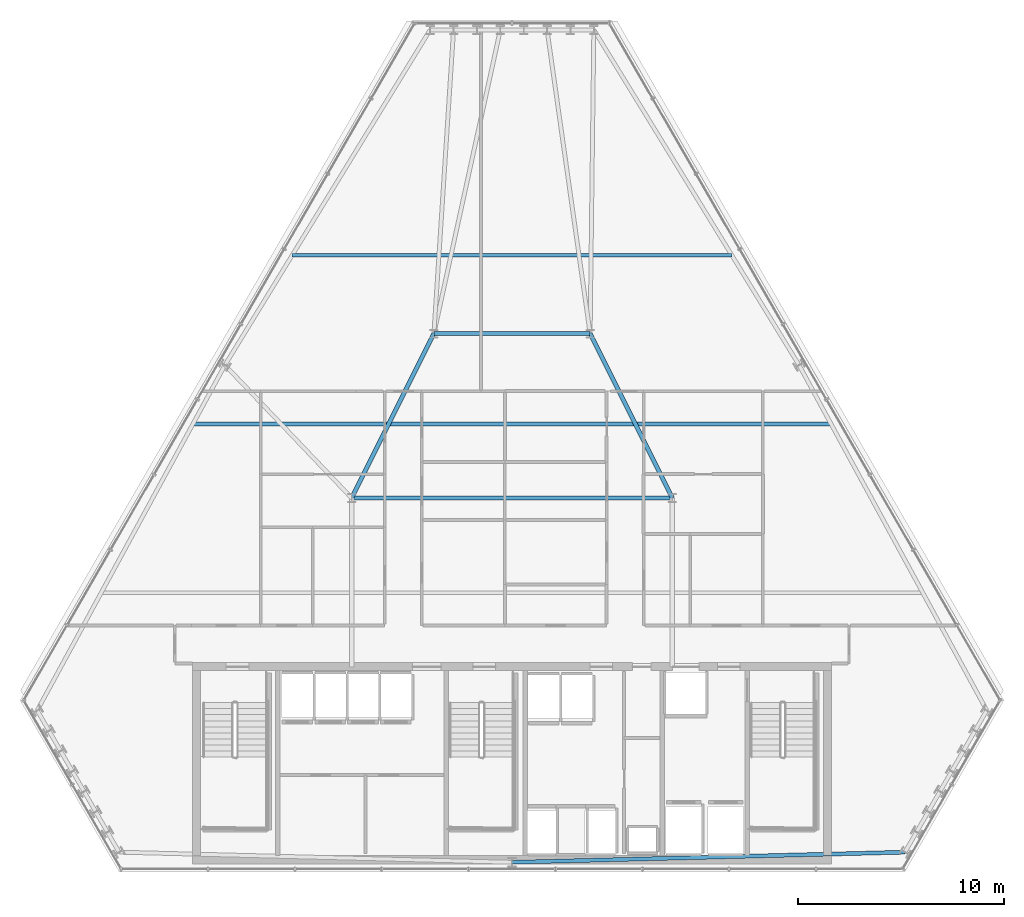
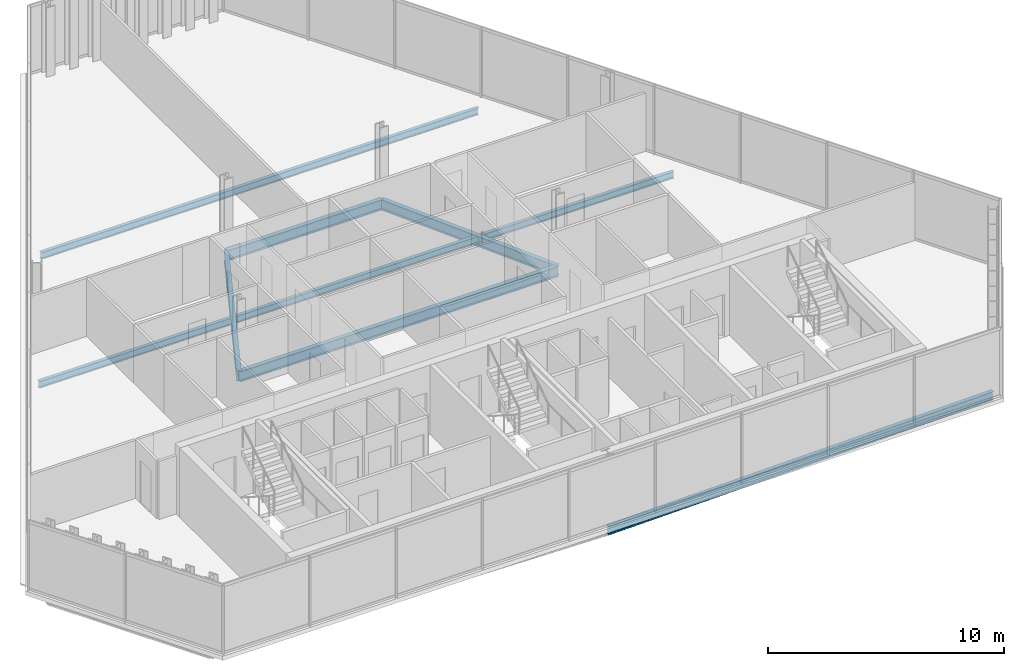
# One storey, part 13 of 33: 7 beams.
"""IFC4 building model written with IfcOpenShell, lengths in metres."""

from ifc_helpers import new_model, si_unit, direction, frame, origin, origin_2d, place, context, subcontext, project, spatial, i_section, extrude, material, material_profile, profile_set, type_object, element, save


model = new_model("IFC4")

# Units and contexts
model_context = context("Model", 3, precision=1e-05, world=origin(), true_north=direction((0.0, 1.0)))
body_context = subcontext(model_context, "Body", "Model", "MODEL_VIEW")
ifc_project = project(units=[si_unit("LENGTHUNIT", "METRE"), si_unit("AREAUNIT", "SQUARE_METRE"), si_unit("VOLUMEUNIT", "CUBIC_METRE"), si_unit("PLANEANGLEUNIT", "RADIAN"), si_unit("MASSUNIT", "GRAM", prefix="KILO")], contexts=[model_context])

# Site, building, storey
site_placement = place(None, origin())
site = spatial("IfcSite", under=ifc_project, at=site_placement, CompositionType="ELEMENT")
building_placement = place(site_placement, origin())
building = spatial("IfcBuilding", under=site, at=building_placement, Name="Ndaravel Arena Tower", CompositionType="ELEMENT")
storey_placement = place(building_placement, frame((0.0, 0.0, 184.0)))
storey = spatial("IfcBuildingStorey", under=building, at=storey_placement, Name="L44", CompositionType="ELEMENT", Elevation=184.0)

# Beams
ifc_material_1 = material(Name="Steel S355", Category="steel")
ifc_material_profile_1 = material_profile(ifc_material_1, i_section(OverallWidth=0.210693359375, OverallDepth=0.53955078125, WebThickness=0.01171875, FlangeThickness=0.018798828125, FilletRadius=0.0126953125, at=origin_2d()), Name="UB 533x210x109")
ifc_profile_set_1 = profile_set([ifc_material_profile_1], Name="Steel S355")
beam_type_1 = type_object("IfcBeamType", Name="BM-GIRD-UB533", PredefinedType="BEAM", material=ifc_profile_set_1)
beam_1_placement = place(storey_placement, frame((34.199951171875, 23.199951171875, -0.48974609375), z_axis=(1.0, 0.0, 0.0), x_axis=(0.0, 1.0, 0.0)))
element("IfcBeam", 1, at=beam_1_placement, inside=storey, type_object=beam_type_1, Name="L44 Spine Link Girder SLG-03", PredefinedType="BEAM", context=body_context, shape_type="SweptSolid", body=[
    extrude(i_section(OverallWidth=0.210693359375, OverallDepth=0.53955078125, WebThickness=0.01171875, FlangeThickness=0.018798828125, FilletRadius=0.0126953125, at=origin_2d()), origin(), (0.0, 0.0, 1.0), 15.60009765625),
])
for number, where, z_axis, x_axis, name in (
    (2, (34.199951171875, 23.199951171875, -0.48974609375), (0.4472135955, 0.894427191, 0.0), (-0.894427191, 0.4472135955, 0.0), "L44 Spine Link Girder SLG-04"),
    (3, (49.800048828125, 23.199951171875, -0.48974609375), (-0.4472135955, 0.894427191, 0.0), (-0.894427191, -0.4472135955, 0.0), "L44 Spine Link Girder SLG-05"),
):
    element("IfcBeam", number, at=place(storey_placement, frame(where, z_axis=z_axis, x_axis=x_axis)), inside=storey, type_object=beam_type_1, Name=name, PredefinedType="BEAM", context=body_context, shape_type="SweptSolid", body=[
        extrude(i_section(OverallWidth=0.210693359375, OverallDepth=0.53955078125, WebThickness=0.01171875, FlangeThickness=0.018798828125, FilletRadius=0.0126953125, at=origin_2d()), origin(), (0.0, 0.0, 1.0), 8.9443359375),
    ])
beam_2_placement = place(storey_placement, frame((38.199951171875, 31.199951171875, -0.48974609375), z_axis=(1.0, 0.0, 0.0), x_axis=(0.0, 1.0, 0.0)))
element("IfcBeam", 4, at=beam_2_placement, inside=storey, type_object=beam_type_1, Name="L44 Spine Link Girder SLG-06", PredefinedType="BEAM", context=body_context, shape_type="SweptSolid", body=[
    extrude(i_section(OverallWidth=0.210693359375, OverallDepth=0.53955078125, WebThickness=0.01171875, FlangeThickness=0.018798828125, FilletRadius=0.0126953125, at=origin_2d()), origin(), (0.0, 0.0, 1.0), 7.60009765625),
])
ifc_material_2 = material(Name="Steel S355", Category="steel")
ifc_material_profile_2 = material_profile(ifc_material_2, i_section(OverallWidth=0.172119140625, OverallDepth=0.35791015625, WebThickness=0.008056640625, FlangeThickness=0.012939453125, FilletRadius=0.01025390625, at=origin_2d()), Name="UB 356x171x57")
ifc_profile_set_2 = profile_set([ifc_material_profile_2], Name="Steel S355")
beam_type_2 = type_object("IfcBeamType", Name="BM-JOIST-UB356", PredefinedType="JOIST", material=ifc_profile_set_2)
beam_3_placement = place(storey_placement, frame((26.478515625, 26.800048828125, -0.39892578125), z_axis=(1.0, 0.0, 0.0), x_axis=(0.0, 1.0, 0.0)))
element("IfcBeam", 5, at=beam_3_placement, inside=storey, type_object=beam_type_2, Name="L44 Composite Floor Joist FJ-02", PredefinedType="JOIST", context=body_context, shape_type="SweptSolid", body=[
    extrude(i_section(OverallWidth=0.172119140625, OverallDepth=0.35791015625, WebThickness=0.008056640625, FlangeThickness=0.012939453125, FilletRadius=0.01025390625, at=origin_2d()), origin(), (0.0, 0.0, 1.0), 31.04296875),
])
beam_4_placement = place(storey_placement, frame((31.3017578125, 35.0, -0.39892578125), z_axis=(1.0, 0.0, 0.0), x_axis=(0.0, 1.0, 0.0)))
element("IfcBeam", 6, at=beam_4_placement, inside=storey, type_object=beam_type_2, Name="L44 Composite Floor Joist FJ-03", PredefinedType="JOIST", context=body_context, shape_type="SweptSolid", body=[
    extrude(i_section(OverallWidth=0.172119140625, OverallDepth=0.35791015625, WebThickness=0.008056640625, FlangeThickness=0.012939453125, FilletRadius=0.01025390625, at=origin_2d()), origin(), (0.0, 0.0, 1.0), 21.396484375),
])
ifc_material_3 = material(Name="Steel S355", Category="steel")
ifc_material_profile_3 = material_profile(ifc_material_3, i_section(OverallWidth=0.18994140625, OverallDepth=0.449951171875, WebThickness=0.009521484375, FlangeThickness=0.0146484375, FilletRadius=0.02099609375, at=origin_2d()), Name="IPE 450")
ifc_profile_set_3 = profile_set([ifc_material_profile_3], Name="Steel S355")
beam_type_3 = type_object("IfcBeamType", Name="BM-SPAN-IPE450", PredefinedType="SPANDREL", material=ifc_profile_set_3)
beam_5_placement = place(storey_placement, frame((42.0, 5.47998046875, -0.445068359375), z_axis=(0.999668285715, 0.025754971098, 0.0), x_axis=(-0.025754971098, 0.999668285715, 0.0)))
element("IfcBeam", 7, at=beam_5_placement, inside=storey, type_object=beam_type_3, Name="L44 Perimeter Spandrel Beam SP-01", PredefinedType="SPANDREL", context=body_context, shape_type="SweptSolid", body=[
    extrude(i_section(OverallWidth=0.18994140625, OverallDepth=0.449951171875, WebThickness=0.009521484375, FlangeThickness=0.0146484375, FilletRadius=0.02099609375, at=origin_2d()), origin(), (0.0, 0.0, 1.0), 19.119873046875),
])

save(model, "model.ifc")
